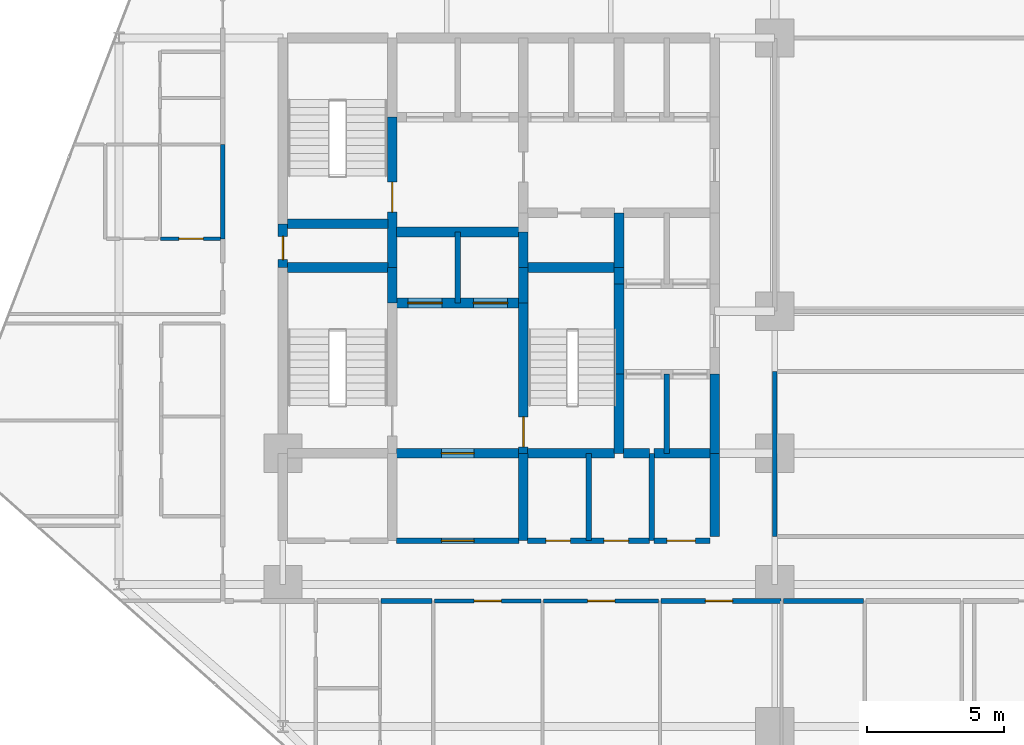
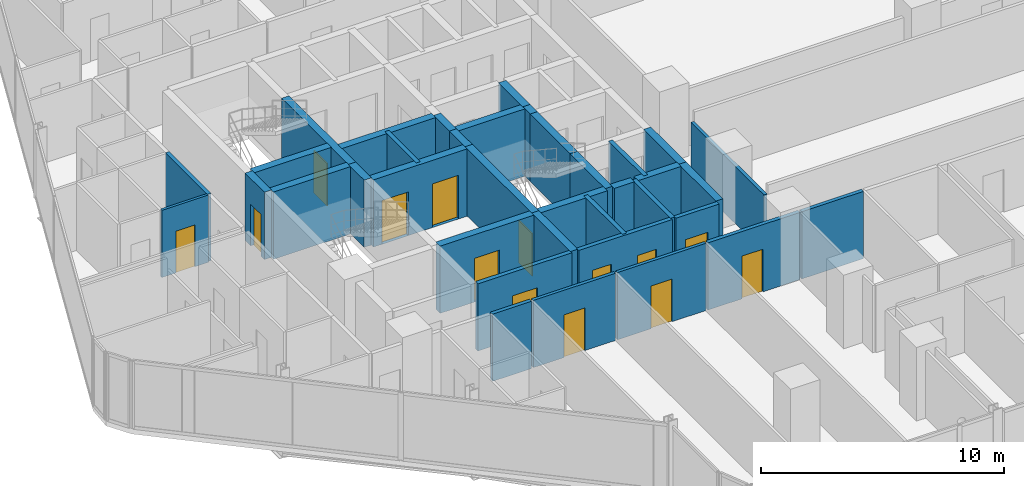
# One storey, part 27 of 33: 37 walls, 14 doors, 14 openings.
"""IFC4 building model written with IfcOpenShell, lengths in metres."""

import ifcopenshell
import ifcopenshell.guid

model = None  # the IFC model being written
_history = None  # IfcOwnerHistory: only IFC2X3 demands one
_inside = {}  # id of a spatial element -> (the spatial element, [elements in it])
_under = {}  # id of a project, library or spatial element -> (it, [spatial elements below it])
_declared = {}  # id of a project -> (the project, [libraries it declares])
_typed = {}  # id of a type object -> (the type object, [elements of that type])
_made_of = {}  # id of a material, layer set ... -> (it, [elements and type objects made of it])


def new_model(schema):
    """Start an empty IFC model of exactly this schema.

    Asked for "IFC4X3", IfcOpenShell would pick the latest addendum, in which some entities
    have other attributes; the version numbers below select the first issue.
    IFC2X3 requires an IfcOwnerHistory on every rooted entity: one is made here for all.
    """
    global model, _history
    if schema == "IFC4X3":
        model = ifcopenshell.file(schema_version=(4, 3, 0, 0))
    else:
        model = ifcopenshell.file(schema=schema)
    _inside.clear()
    _under.clear()
    _declared.clear()
    _typed.clear()
    _made_of.clear()
    _history = None
    if model.schema == "IFC2X3":
        org = make("IfcOrganization", Name="unknown")
        user = make(
            "IfcPersonAndOrganization",
            ThePerson=make("IfcPerson", FamilyName="unknown"),
            TheOrganization=org,
        )
        app = make(
            "IfcApplication",
            ApplicationDeveloper=org,
            Version="unknown",
            ApplicationFullName="unknown",
            ApplicationIdentifier="unknown",
        )
        _history = make(
            "IfcOwnerHistory",
            OwningUser=user,
            OwningApplication=app,
            ChangeAction="ADDED",
            CreationDate=0,
        )
    return model


def make(cls, **values):
    """One entity of the class cls with the attributes given. An attribute that is None is left unset."""
    return model.create_entity(
        cls, **{name: value for name, value in values.items() if value is not None}
    )


def rooted(cls, **values):
    """An entity with a GlobalId (a new one), such as an element, a storey or a relation."""
    return make(cls, GlobalId=ifcopenshell.guid.new(), OwnerHistory=_history, **values)


def si_unit(unit_type, name, prefix=None):
    """IfcSIUnit, for example si_unit("LENGTHUNIT", "METRE", prefix="MILLI")."""
    return make("IfcSIUnit", UnitType=unit_type, Prefix=prefix, Name=name)


def assignment(units):
    """IfcUnitAssignment: the units of a project."""
    return None if units is None else make("IfcUnitAssignment", Units=units)


def point(xyz):
    """IfcCartesianPoint."""
    return None if xyz is None else make("IfcCartesianPoint", Coordinates=xyz)


def direction(xyz):
    """IfcDirection."""
    return None if xyz is None else make("IfcDirection", DirectionRatios=xyz)


def frame(location, z_axis=None, x_axis=None):
    """IfcAxis2Placement3D, a coordinate frame: its origin and axes. An axis left out is left unset."""
    return make(
        "IfcAxis2Placement3D",
        Location=point(location),
        Axis=direction(z_axis),
        RefDirection=direction(x_axis),
    )


def frame_2d(location, x_axis=None):
    """IfcAxis2Placement2D, a coordinate frame in the plane: its origin and x axis."""
    return make(
        "IfcAxis2Placement2D", Location=point(location), RefDirection=direction(x_axis)
    )


def origin():
    """The frame at (0, 0, 0) with its axes left unset."""
    return frame((0.0, 0.0, 0.0))


def place(relative_to, where):
    """IfcLocalPlacement: puts the frame where relative to a parent placement (None: the world)."""
    return make(
        "IfcLocalPlacement", PlacementRelTo=relative_to, RelativePlacement=where
    )


def context(
    kind, dimensions, precision=None, world=None, true_north=None, identifier=None
):
    """IfcGeometricRepresentationContext, for example the 3D "Model" context."""
    return make(
        "IfcGeometricRepresentationContext",
        ContextIdentifier=identifier,
        ContextType=kind,
        CoordinateSpaceDimension=dimensions,
        Precision=precision,
        WorldCoordinateSystem=world,
        TrueNorth=true_north,
    )


def subcontext(parent, identifier, kind, view, scale=None):
    """IfcGeometricRepresentationSubContext, for example "Body" below "Model"."""
    return make(
        "IfcGeometricRepresentationSubContext",
        ContextIdentifier=identifier,
        ContextType=kind,
        ParentContext=parent,
        TargetScale=scale,
        TargetView=view,
    )


def project(units=None, contexts=None):
    """IfcProject with its units and contexts."""
    return rooted(
        "IfcProject",
        Name="project",
        RepresentationContexts=contexts,
        UnitsInContext=assignment(units),
    )


def spatial(cls, under=None, at=None, **own):
    """A site, building, storey or space (cls), placed at a placement, below another one or the project."""
    s = rooted(cls, ObjectPlacement=at, **own)
    if under is not None:
        _under.setdefault(under.id(), (under, []))[1].append(s)
    return s


def profile(cls, at=None, kind="AREA", **sizes):
    """A parametric profile (cls). Its sizes go by their IFC names, for example OverallWidth=200.0."""
    return make(cls, ProfileType=kind, Position=at, **sizes)


def rectangle(**sizes):
    """IfcRectangleProfileDef."""
    return profile("IfcRectangleProfileDef", **sizes)


def extrude(swept, where, along, depth):
    """IfcExtrudedAreaSolid: the profile swept, set in the frame where, extruded along a direction by depth."""
    return make(
        "IfcExtrudedAreaSolid",
        SweptArea=swept,
        Position=where,
        ExtrudedDirection=direction(along),
        Depth=depth,
    )


def shape(context_of_items, identifier, shape_type, items):
    """IfcShapeRepresentation: the items that make up one representation, for example the "Body"."""
    return make(
        "IfcShapeRepresentation",
        ContextOfItems=context_of_items,
        RepresentationIdentifier=identifier,
        RepresentationType=shape_type,
        Items=items,
    )


def material(Name=None, Category=None):
    """IfcMaterial."""
    return make("IfcMaterial", Name=Name, Category=Category)


def layer(
    of_material, thickness, ventilated=None, Name=None, Category=None, Priority=None
):
    """IfcMaterialLayer: one layer of a wall or slab, of a material (None: an air gap)."""
    return make(
        "IfcMaterialLayer",
        Material=of_material,
        LayerThickness=thickness,
        IsVentilated=ventilated,
        Name=Name,
        Category=Category,
        Priority=Priority,
    )


def layer_set(layers, Name=None):
    """IfcMaterialLayerSet."""
    return make("IfcMaterialLayerSet", MaterialLayers=layers, LayerSetName=Name)


def made_of(thing, what):
    """Note that an element or type object is made of a material, layer set ...; save() writes the relation."""
    if what is not None:
        _made_of.setdefault(what.id(), (what, []))[1].append(thing)
    return thing


def type_object(cls, material=None, **own):
    """A type object (cls), such as IfcWallType, which elements share."""
    return made_of(rooted(cls, **own), material)


def element(
    cls,
    number,
    at=None,
    inside=None,
    cuts=None,
    type_object=None,
    material=None,
    context=None,
    identifier="Body",
    shape_type=None,
    held_by="IfcProductDefinitionShape",
    body=None,
    shapes=None,
    **own,
):
    """One element of the class cls, such as IfcWall. Its Tag is "e" and its number.

    at: its placement. inside: the storey or other place that contains it. cuts: it is an
    opening in that element (IfcRelVoidsElement). A single representation is given by context,
    identifier, shape_type and body (its items); several are given by shapes. held_by: the class
    of the entity that holds the representations. save() writes the other relations.
    """
    e = rooted(cls, Tag="e%d" % number, ObjectPlacement=at, **own)
    if body is not None:
        shapes = [shape(context, identifier, shape_type, body)]
    if shapes is not None:
        e.Representation = make(held_by, Representations=shapes)
    if inside is not None:
        _inside.setdefault(inside.id(), (inside, []))[1].append(e)
    if cuts is not None:
        rooted(
            "IfcRelVoidsElement", RelatingBuildingElement=cuts, RelatedOpeningElement=e
        )
    if type_object is not None:
        _typed.setdefault(type_object.id(), (type_object, []))[1].append(e)
    return made_of(e, material)


def fill(opening, filler):
    """IfcRelFillsElement: the door or window that sits in an opening."""
    return rooted(
        "IfcRelFillsElement",
        RelatingOpeningElement=opening,
        RelatedBuildingElement=filler,
    )


def aggregate(whole, parts):
    """IfcRelAggregates: a whole, such as a stair, and the parts it consists of."""
    return rooted("IfcRelAggregates", RelatingObject=whole, RelatedObjects=parts)


def save(model, path):
    """Write the relations noted so far, then the file.

    IfcRelAggregates (storeys below a building ...), IfcRelContainedInSpatialStructure (elements
    in a storey), IfcRelDefinesByType, IfcRelAssociatesMaterial and IfcRelDeclares: one each for
    every whole, place, type object, material and project.
    """
    for whole, parts in _under.values():
        aggregate(whole, parts)
    for where, things in _inside.values():
        rooted(
            "IfcRelContainedInSpatialStructure",
            RelatedElements=things,
            RelatingStructure=where,
        )
    for kind, things in _typed.values():
        rooted("IfcRelDefinesByType", RelatedObjects=things, RelatingType=kind)
    for what, things in _made_of.values():
        rooted("IfcRelAssociatesMaterial", RelatedObjects=things, RelatingMaterial=what)
    for by, libraries in _declared.values():
        rooted("IfcRelDeclares", RelatingContext=by, RelatedDefinitions=libraries)
    model.write(path)


model = new_model("IFC4")

# Units and contexts
model_context = context("Model", 3, precision=1e-05, world=origin(), true_north=direction((0.0, 1.0)))
body_context = subcontext(model_context, "Body", "Model", "MODEL_VIEW")
ifc_project = project(units=[si_unit("LENGTHUNIT", "METRE"), si_unit("AREAUNIT", "SQUARE_METRE"), si_unit("VOLUMEUNIT", "CUBIC_METRE"), si_unit("PLANEANGLEUNIT", "RADIAN"), si_unit("MASSUNIT", "GRAM", prefix="KILO")], contexts=[model_context])

# Site, building, storey
site_placement = place(None, origin())
site = spatial("IfcSite", under=ifc_project, at=site_placement, CompositionType="ELEMENT")
building_placement = place(site_placement, origin())
building = spatial("IfcBuilding", under=site, at=building_placement, Name="Keshet Zoharim Tower", CompositionType="ELEMENT")
storey_placement = place(building_placement, frame((0.0, 0.0, 49.89990234375)))
storey = spatial("IfcBuildingStorey", under=building, at=storey_placement, Name="L11", CompositionType="ELEMENT", Elevation=49.89990234375)

# Wall
ifc_material_1 = material(Name="Gypsum Plasterboard", Category="gypsum")
ifc_layer_1 = layer(ifc_material_1, 0.14990234375)
ifc_layer_set_1 = layer_set([ifc_layer_1], Name="Gypsum Plasterboard")
wall_type_1 = type_object("IfcWallType", Name="WL-CLIN-150", PredefinedType="STANDARD", material=ifc_layer_set_1)
wall_1_placement = place(storey_placement, frame((33.0, 19.659912109375, 0.0), z_axis=(0.0, 0.0, 1.0), x_axis=(0.0, 1.0, 0.0)))
element("IfcWall", 1, at=wall_1_placement, inside=storey, type_object=wall_type_1, Name="L11 Interior Wall 074", PredefinedType="STANDARD", context=body_context, shape_type="SweptSolid", body=[
    extrude(rectangle(XDim=6.030029296875, YDim=0.14990234375, at=frame_2d((3.01513671875, 0.0))), origin(), (0.0, 0.0, 1.0), 2.885009765625),
])

# Wall, opening, door
wall_2_placement = place(storey_placement, frame((20.544921875, 17.300048828125, 0.0), z_axis=(0.0, 0.0, 1.0), x_axis=(1.0, 0.0, 0.0)))
wall_2 = element("IfcWall", 2, at=wall_2_placement, inside=storey, type_object=wall_type_1, Name="L11 Interior Wall 141", PredefinedType="STANDARD", context=body_context, shape_type="SweptSolid", body=[
    extrude(rectangle(XDim=3.91015625, YDim=0.14990234375, at=frame_2d((1.955078125, 0.0))), origin(), (0.0, 0.0, 1.0), 3.385009765625),
])
opening_1_placement = place(wall_2_placement, frame((1.455078125, 0.0, 0.0)))
opening_1 = element("IfcOpeningElement", 3, at=opening_1_placement, cuts=wall_2, Name="Opening D-F310", PredefinedType="OPENING", context=body_context, shape_type="SweptSolid", body=[
    extrude(rectangle(XDim=1.0, YDim=2.14990234375, at=frame_2d((0.5, 1.074951171875))), frame((0.0, 0.0849609375, 0.0), z_axis=(0.0, -1.0, 0.0), x_axis=(1.0, 0.0, 0.0)), (0.0, 0.0, 1.0), 0.169921875),
])
ifc_material_2 = material(Name="Hardwood Timber", Category="wood")
door_type_1 = type_object("IfcDoorType", Name="DR-FD30-100", OperationType="NOTDEFINED", PredefinedType="DOOR", material=ifc_material_2)
door_1_placement = place(opening_1_placement, origin())
door_1 = element("IfcDoor", 4, at=door_1_placement, inside=storey, type_object=door_type_1, Name="L11 Residents Telework Office Door", OperationType="SINGLE_SWING_RIGHT", OverallHeight=2.14990234375, OverallWidth=1.0, PredefinedType="DOOR", context=body_context, shape_type="SweptSolid", body=[
    extrude(rectangle(XDim=1.0, YDim=2.14990234375, at=frame_2d((0.5, 1.074951171875))), frame((0.0, 0.02490234375, 0.0), z_axis=(0.0, -1.0, 0.0), x_axis=(1.0, 0.0, 0.0)), (0.0, 0.0, 1.0), 0.050048828125),
])
fill(opening_1, door_1)

wall_3_placement = place(storey_placement, frame((24.544921875, 17.300048828125, 0.0), z_axis=(0.0, 0.0, 1.0), x_axis=(1.0, 0.0, 0.0)))
wall_3 = element("IfcWall", 5, at=wall_3_placement, inside=storey, type_object=wall_type_1, Name="L11 Interior Wall 142", PredefinedType="STANDARD", context=body_context, shape_type="SweptSolid", body=[
    extrude(rectangle(XDim=4.2099609375, YDim=0.14990234375, at=frame_2d((2.10498046875, 0.0))), origin(), (0.0, 0.0, 1.0), 3.385009765625),
])
opening_2_placement = place(wall_3_placement, frame((1.60498046875, 0.0, 0.0)))
opening_2 = element("IfcOpeningElement", 6, at=opening_2_placement, cuts=wall_3, Name="Opening D-F310", PredefinedType="OPENING", context=body_context, shape_type="SweptSolid", body=[
    extrude(rectangle(XDim=1.0, YDim=2.14990234375, at=frame_2d((0.5, 1.074951171875))), frame((0.0, 0.0849609375, 0.0), z_axis=(0.0, -1.0, 0.0), x_axis=(1.0, 0.0, 0.0)), (0.0, 0.0, 1.0), 0.169921875),
])
door_2_placement = place(opening_2_placement, origin())
door_2 = element("IfcDoor", 7, at=door_2_placement, inside=storey, type_object=door_type_1, Name="L11 Residents Meeting Room Door", OperationType="SINGLE_SWING_LEFT", OverallHeight=2.14990234375, OverallWidth=1.0, PredefinedType="DOOR", context=body_context, shape_type="SweptSolid", body=[
    extrude(rectangle(XDim=1.0, YDim=2.14990234375, at=frame_2d((0.5, 1.074951171875))), frame((0.0, 0.02490234375, 0.0), z_axis=(0.0, -1.0, 0.0), x_axis=(1.0, 0.0, 0.0)), (0.0, 0.0, 1.0), 0.050048828125),
])
fill(opening_2, door_2)

ifc_material_3 = material(Name="Concrete C60/75", Category="concrete")
ifc_layer_2 = layer(ifc_material_3, 0.35009765625)
ifc_layer_set_2 = layer_set([ifc_layer_2], Name="Concrete C60/75")
wall_type_2 = type_object("IfcWallType", Name="WL-CORE-350", PredefinedType="SHEAR", material=ifc_layer_set_2)
wall_4_placement = place(storey_placement, frame((15.0, 29.5, 0.0), z_axis=(0.0, 0.0, 1.0), x_axis=(0.0, 1.0, 0.0)))
wall_4 = element("IfcWall", 8, at=wall_4_placement, inside=storey, type_object=wall_type_2, Name="L11 Core Shear Wall 021", PredefinedType="SHEAR", context=body_context, shape_type="SweptSolid", body=[
    extrude(rectangle(XDim=1.60009765625, YDim=0.35009765625, at=frame_2d((0.800048828125, 0.0))), origin(), (0.0, 0.0, 1.0), 3.385009765625),
])
opening_3_placement = place(wall_4_placement, frame((0.287109375, 0.0, 0.0)))
opening_3 = element("IfcOpeningElement", 9, at=opening_3_placement, cuts=wall_4, Name="Opening D-RS85", PredefinedType="OPENING", context=body_context, shape_type="SweptSolid", body=[
    extrude(rectangle(XDim=0.85009765625, YDim=2.10009765625, at=frame_2d((0.425048828125, 1.050048828125))), frame((0.0, 0.18505859375, 0.0), z_axis=(0.0, -1.0, 0.0), x_axis=(1.0, 0.0, 0.0)), (0.0, 0.0, 1.0), 0.3701171875),
])
door_type_2 = type_object("IfcDoorType", Name="DR-RIS-085", OperationType="NOTDEFINED", PredefinedType="DOOR", material=ifc_material_2)
door_3_placement = place(opening_3_placement, origin())
door_3 = element("IfcDoor", 10, at=door_3_placement, inside=storey, type_object=door_type_2, Name="L11 Electrical Riser Access Cupboard Door", OperationType="SINGLE_SWING_RIGHT", OverallHeight=2.10009765625, OverallWidth=0.85009765625, PredefinedType="DOOR", context=body_context, shape_type="SweptSolid", body=[
    extrude(rectangle(XDim=0.85009765625, YDim=2.10009765625, at=frame_2d((0.425048828125, 1.050048828125))), frame((0.0, 0.02490234375, 0.0), z_axis=(0.0, -1.0, 0.0), x_axis=(1.0, 0.0, 0.0)), (0.0, 0.0, 1.0), 0.050048828125),
])
fill(opening_3, door_3)

# Wall
wall_5_placement = place(storey_placement, frame((19.0, 28.199951171875, 0.0), z_axis=(0.0, 0.0, 1.0), x_axis=(0.0, 1.0, 0.0)))
element("IfcWall", 11, at=wall_5_placement, inside=storey, type_object=wall_type_2, Name="L11 Core Shear Wall 031", PredefinedType="SHEAR", context=body_context, shape_type="SweptSolid", body=[
    extrude(rectangle(XDim=1.300048828125, YDim=0.35009765625, at=frame_2d((0.64990234375, 0.0))), origin(), (0.0, 0.0, 1.0), 3.385009765625),
])

# Wall, opening, door
wall_6_placement = place(storey_placement, frame((19.0, 29.5, 0.0), z_axis=(0.0, 0.0, 1.0), x_axis=(0.0, 1.0, 0.0)))
wall_6 = element("IfcWall", 12, at=wall_6_placement, inside=storey, type_object=wall_type_2, Name="L11 Core Shear Wall 032", PredefinedType="SHEAR", context=body_context, shape_type="SweptSolid", body=[
    extrude(rectangle(XDim=5.5, YDim=0.35009765625, at=frame_2d((2.75, 0.0))), origin(), (0.0, 0.0, 1.0), 3.385009765625),
])
opening_4_placement = place(wall_6_placement, frame((2.02490234375, 0.0, 0.0)))
opening_4 = element("IfcOpeningElement", 13, at=opening_4_placement, cuts=wall_6, Name="Opening D-F611", PredefinedType="OPENING", context=body_context, shape_type="SweptSolid", body=[
    extrude(rectangle(XDim=1.10009765625, YDim=2.14990234375, at=frame_2d((0.550048828125, 1.074951171875))), frame((0.0, 0.18505859375, 0.0), z_axis=(0.0, -1.0, 0.0), x_axis=(1.0, 0.0, 0.0)), (0.0, 0.0, 1.0), 0.3701171875),
])
door_type_3 = type_object("IfcDoorType", Name="DR-FD60-110", OperationType="NOTDEFINED", PredefinedType="DOOR", material=ifc_material_2)
door_4_placement = place(opening_4_placement, origin())
door_4 = element("IfcDoor", 14, at=door_4_placement, inside=storey, type_object=door_type_3, Name="L11 Exit Stair ST-02 Fire Door", OperationType="SINGLE_SWING_RIGHT", OverallHeight=2.14990234375, OverallWidth=1.10009765625, PredefinedType="DOOR", context=body_context, shape_type="SweptSolid", body=[
    extrude(rectangle(XDim=1.10009765625, YDim=2.14990234375, at=frame_2d((0.550048828125, 1.074951171875))), frame((0.0, 0.02490234375, 0.0), z_axis=(0.0, -1.0, 0.0), x_axis=(1.0, 0.0, 0.0)), (0.0, 0.0, 1.0), 0.050048828125),
])
fill(opening_4, door_4)

# Wall
wall_7_placement = place(storey_placement, frame((23.800048828125, 19.5, 0.0), z_axis=(0.0, 0.0, 1.0), x_axis=(0.0, 1.0, 0.0)))
element("IfcWall", 15, at=wall_7_placement, inside=storey, type_object=wall_type_2, Name="L11 Core Shear Wall 040", PredefinedType="SHEAR", context=body_context, shape_type="SweptSolid", body=[
    extrude(rectangle(XDim=3.199951171875, YDim=0.35009765625, at=frame_2d((1.60009765625, 0.0))), origin(), (0.0, 0.0, 1.0), 3.385009765625),
])

# Wall, opening, door
wall_8_placement = place(storey_placement, frame((23.800048828125, 22.699951171875, 0.0), z_axis=(0.0, 0.0, 1.0), x_axis=(0.0, 1.0, 0.0)))
wall_8 = element("IfcWall", 16, at=wall_8_placement, inside=storey, type_object=wall_type_2, Name="L11 Core Shear Wall 041", PredefinedType="SHEAR", context=body_context, shape_type="SweptSolid", body=[
    extrude(rectangle(XDim=5.5, YDim=0.35009765625, at=frame_2d((2.75, 0.0))), origin(), (0.0, 0.0, 1.0), 3.385009765625),
])
opening_5_placement = place(wall_8_placement, frame((0.235107421875, 0.0, 0.0)))
opening_5 = element("IfcOpeningElement", 17, at=opening_5_placement, cuts=wall_8, Name="Opening D-F611", PredefinedType="OPENING", context=body_context, shape_type="SweptSolid", body=[
    extrude(rectangle(XDim=1.10009765625, YDim=2.14990234375, at=frame_2d((0.550048828125, 1.074951171875))), frame((0.0, 0.18505859375, 0.0), z_axis=(0.0, -1.0, 0.0), x_axis=(1.0, 0.0, 0.0)), (0.0, 0.0, 1.0), 0.3701171875),
])
door_5_placement = place(opening_5_placement, frame((1.10009765625, 0.0, 0.0), z_axis=(0.0, 0.0, 1.0), x_axis=(-1.0, 0.0, 0.0)))
door_5 = element("IfcDoor", 18, at=door_5_placement, inside=storey, type_object=door_type_3, Name="L11 Exit Stair ST-03 Fire Door", OperationType="SINGLE_SWING_LEFT", OverallHeight=2.14990234375, OverallWidth=1.10009765625, PredefinedType="DOOR", context=body_context, shape_type="SweptSolid", body=[
    extrude(rectangle(XDim=1.10009765625, YDim=2.14990234375, at=frame_2d((0.550048828125, 1.074951171875))), frame((0.0, 0.02490234375, 0.0), z_axis=(0.0, -1.0, 0.0), x_axis=(1.0, 0.0, 0.0)), (0.0, 0.0, 1.0), 0.050048828125),
])
fill(opening_5, door_5)

# Walls
for number, where, z_axis, x_axis, name in (
    (19, (23.800048828125, 28.199951171875, 0.0), (0.0, 0.0, 1.0), (0.0, 1.0, 0.0), "L11 Core Shear Wall 042"),
    (20, (23.800048828125, 29.5, 0.0), (0.0, 0.0, 1.0), (0.0, 1.0, 0.0), "L11 Core Shear Wall 043"),
):
    element("IfcWall", number, at=place(storey_placement, frame(where, z_axis=z_axis, x_axis=x_axis)), inside=storey, type_object=wall_type_2, Name=name, PredefinedType="SHEAR", context=body_context, shape_type="SweptSolid", body=[
        extrude(rectangle(XDim=1.300048828125, YDim=0.35009765625, at=frame_2d((0.64990234375, 0.0))), origin(), (0.0, 0.0, 1.0), 3.385009765625),
    ])
wall_9_placement = place(storey_placement, frame((27.300048828125, 22.699951171875, 0.0), z_axis=(0.0, 0.0, 1.0), x_axis=(0.0, 1.0, 0.0)))
element("IfcWall", 21, at=wall_9_placement, inside=storey, type_object=wall_type_2, Name="L11 Core Shear Wall 053", PredefinedType="SHEAR", context=body_context, shape_type="SweptSolid", body=[
    extrude(rectangle(XDim=2.900146484375, YDim=0.35009765625, at=frame_2d((1.4501953125, 0.0))), origin(), (0.0, 0.0, 1.0), 3.385009765625),
])
wall_10_placement = place(storey_placement, frame((27.300048828125, 25.60009765625, 0.0), z_axis=(0.0, 0.0, 1.0), x_axis=(0.0, 1.0, 0.0)))
element("IfcWall", 22, at=wall_10_placement, inside=storey, type_object=wall_type_2, Name="L11 Core Shear Wall 054", PredefinedType="SHEAR", context=body_context, shape_type="SweptSolid", body=[
    extrude(rectangle(XDim=3.2998046875, YDim=0.35009765625, at=frame_2d((1.64990234375, 0.0))), origin(), (0.0, 0.0, 1.0), 3.385009765625),
])
wall_11_placement = place(storey_placement, frame((27.300048828125, 28.89990234375, 0.0), z_axis=(0.0, 0.0, 1.0), x_axis=(0.0, 1.0, 0.0)))
element("IfcWall", 23, at=wall_11_placement, inside=storey, type_object=wall_type_2, Name="L11 Core Shear Wall 055", PredefinedType="SHEAR", context=body_context, shape_type="SweptSolid", body=[
    extrude(rectangle(XDim=0.60009765625, YDim=0.35009765625, at=frame_2d((0.300048828125, 0.0))), origin(), (0.0, 0.0, 1.0), 3.385009765625),
])
wall_12_placement = place(storey_placement, frame((27.300048828125, 29.5, 0.0), z_axis=(0.0, 0.0, 1.0), x_axis=(0.0, 1.0, 0.0)))
element("IfcWall", 24, at=wall_12_placement, inside=storey, type_object=wall_type_2, Name="L11 Core Shear Wall 056", PredefinedType="SHEAR", context=body_context, shape_type="SweptSolid", body=[
    extrude(rectangle(XDim=2.0, YDim=0.35009765625, at=frame_2d((1.0, 0.0))), origin(), (0.0, 0.0, 1.0), 3.385009765625),
])
wall_13_placement = place(storey_placement, frame((30.800048828125, 19.64990234375, 0.0), z_axis=(0.0, 0.0, 1.0), x_axis=(0.0, 1.0, 0.0)))
element("IfcWall", 25, at=wall_13_placement, inside=storey, type_object=wall_type_2, Name="L11 Core Shear Wall 064", PredefinedType="SHEAR", context=body_context, shape_type="SweptSolid", body=[
    extrude(rectangle(XDim=3.050048828125, YDim=0.35009765625, at=frame_2d((1.52490234375, 0.0))), origin(), (0.0, 0.0, 1.0), 3.385009765625),
])
wall_14_placement = place(storey_placement, frame((30.800048828125, 22.699951171875, 0.0), z_axis=(0.0, 0.0, 1.0), x_axis=(0.0, 1.0, 0.0)))
element("IfcWall", 26, at=wall_14_placement, inside=storey, type_object=wall_type_2, Name="L11 Core Shear Wall 065", PredefinedType="SHEAR", context=body_context, shape_type="SweptSolid", body=[
    extrude(rectangle(XDim=2.900146484375, YDim=0.35009765625, at=frame_2d((1.4501953125, 0.0))), origin(), (0.0, 0.0, 1.0), 3.385009765625),
])

# Wall, opening, door
wall_15_placement = place(storey_placement, frame((19.159912109375, 22.699951171875, 0.0), z_axis=(0.0, 0.0, 1.0), x_axis=(1.0, 0.0, 0.0)))
wall_15 = element("IfcWall", 27, at=wall_15_placement, inside=storey, type_object=wall_type_2, Name="L11 Core Shear Wall 163", PredefinedType="SHEAR", context=body_context, shape_type="SweptSolid", body=[
    extrude(rectangle(XDim=4.47998046875, YDim=0.35009765625, at=frame_2d((2.239990234375, 0.0))), origin(), (0.0, 0.0, 1.0), 3.385009765625),
])
opening_6_placement = place(wall_15_placement, frame((1.639892578125, 0.0, 0.0)))
opening_6 = element("IfcOpeningElement", 28, at=opening_6_placement, cuts=wall_15, Name="Opening D-F612", PredefinedType="OPENING", context=body_context, shape_type="SweptSolid", body=[
    extrude(rectangle(XDim=1.199951171875, YDim=2.199951171875, at=frame_2d((0.60009765625, 1.10009765625))), frame((0.0, 0.18505859375, 0.0), z_axis=(0.0, -1.0, 0.0), x_axis=(1.0, 0.0, 0.0)), (0.0, 0.0, 1.0), 0.3701171875),
])
door_type_4 = type_object("IfcDoorType", Name="DR-FD60-120", OperationType="NOTDEFINED", PredefinedType="DOOR", material=ifc_material_2)
door_6_placement = place(opening_6_placement, origin())
door_6 = element("IfcDoor", 29, at=door_6_placement, inside=storey, type_object=door_type_4, Name="L11 South Core Lobby Fire Door", OperationType="SINGLE_SWING_RIGHT", OverallHeight=2.199951171875, OverallWidth=1.199951171875, PredefinedType="DOOR", context=body_context, shape_type="SweptSolid", body=[
    extrude(rectangle(XDim=1.199951171875, YDim=2.199951171875, at=frame_2d((0.60009765625, 1.10009765625))), frame((0.0, 0.02490234375, 0.0), z_axis=(0.0, -1.0, 0.0), x_axis=(1.0, 0.0, 0.0)), (0.0, 0.0, 1.0), 0.050048828125),
])
fill(opening_6, door_6)

# Walls
wall_16_placement = place(storey_placement, frame((23.9599609375, 22.699951171875, 0.0), z_axis=(0.0, 0.0, 1.0), x_axis=(1.0, 0.0, 0.0)))
element("IfcWall", 30, at=wall_16_placement, inside=storey, type_object=wall_type_2, Name="L11 Core Shear Wall 164", PredefinedType="SHEAR", context=body_context, shape_type="SweptSolid", body=[
    extrude(rectangle(XDim=3.179931640625, YDim=0.35009765625, at=frame_2d((1.58984375, 0.0))), origin(), (0.0, 0.0, 1.0), 3.385009765625),
])
wall_17_placement = place(storey_placement, frame((27.4599609375, 22.699951171875, 0.0), z_axis=(0.0, 0.0, 1.0), x_axis=(1.0, 0.0, 0.0)))
element("IfcWall", 31, at=wall_17_placement, inside=storey, type_object=wall_type_2, Name="L11 Core Shear Wall 165", PredefinedType="SHEAR", context=body_context, shape_type="SweptSolid", body=[
    extrude(rectangle(XDim=0.955078125, YDim=0.35009765625, at=frame_2d((0.4775390625, 0.0))), origin(), (0.0, 0.0, 1.0), 3.385009765625),
])
wall_18_placement = place(storey_placement, frame((28.5849609375, 22.699951171875, 0.0), z_axis=(0.0, 0.0, 1.0), x_axis=(1.0, 0.0, 0.0)))
element("IfcWall", 32, at=wall_18_placement, inside=storey, type_object=wall_type_2, Name="L11 Core Shear Wall 166", PredefinedType="SHEAR", context=body_context, shape_type="SweptSolid", body=[
    extrude(rectangle(XDim=2.054931640625, YDim=0.35009765625, at=frame_2d((1.02734375, 0.0))), origin(), (0.0, 0.0, 1.0), 3.385009765625),
])

# Wall, openings, doors
wall_19_placement = place(storey_placement, frame((19.159912109375, 28.199951171875, 0.0), z_axis=(0.0, 0.0, 1.0), x_axis=(1.0, 0.0, 0.0)))
wall_19 = element("IfcWall", 33, at=wall_19_placement, inside=storey, type_object=wall_type_2, Name="L11 Core Shear Wall 176", PredefinedType="SHEAR", context=body_context, shape_type="SweptSolid", body=[
    extrude(rectangle(XDim=4.47998046875, YDim=0.35009765625, at=frame_2d((2.239990234375, 0.0))), origin(), (0.0, 0.0, 1.0), 3.385009765625),
])
opening_7_placement = place(wall_19_placement, frame((0.4150390625, 0.0, 0.0)))
opening_7 = element("IfcOpeningElement", 34, at=opening_7_placement, cuts=wall_19, Name="Opening LD-01", PredefinedType="OPENING", context=body_context, shape_type="SweptSolid", body=[
    extrude(rectangle(XDim=1.25, YDim=2.199951171875, at=frame_2d((0.625, 1.10009765625))), frame((0.0, 0.18505859375, 0.0), z_axis=(0.0, -1.0, 0.0), x_axis=(1.0, 0.0, 0.0)), (0.0, 0.0, 1.0), 0.3701171875),
])
opening_8_placement = place(wall_19_placement, frame((2.81494140625, 0.0, 0.0)))
opening_8 = element("IfcOpeningElement", 35, at=opening_8_placement, cuts=wall_19, Name="Opening LD-01", PredefinedType="OPENING", context=body_context, shape_type="SweptSolid", body=[
    extrude(rectangle(XDim=1.25, YDim=2.199951171875, at=frame_2d((0.625, 1.10009765625))), frame((0.0, 0.18505859375, 0.0), z_axis=(0.0, -1.0, 0.0), x_axis=(1.0, 0.0, 0.0)), (0.0, 0.0, 1.0), 0.3701171875),
])
ifc_material_4 = material(Name="Steel S355", Category="steel")
door_type_5 = type_object("IfcDoorType", Name="DR-LD01-125", OperationType="DOUBLE_DOOR_SLIDING", PredefinedType="DOOR", material=ifc_material_4)
door_7_placement = place(opening_7_placement, origin())
door_7 = element("IfcDoor", 36, at=door_7_placement, inside=storey, type_object=door_type_5, Name="L11 Passenger Lift Landing Door LF-09", OperationType="DOUBLE_DOOR_SLIDING", OverallHeight=2.199951171875, OverallWidth=1.25, PredefinedType="DOOR", context=body_context, shape_type="SweptSolid", body=[
    extrude(rectangle(XDim=1.25, YDim=2.199951171875, at=frame_2d((0.625, 1.10009765625))), frame((0.0, 0.02490234375, 0.0), z_axis=(0.0, -1.0, 0.0), x_axis=(1.0, 0.0, 0.0)), (0.0, 0.0, 1.0), 0.050048828125),
])
fill(opening_7, door_7)
door_8_placement = place(opening_8_placement, origin())
door_8 = element("IfcDoor", 37, at=door_8_placement, inside=storey, type_object=door_type_5, Name="L11 Passenger Lift Landing Door LF-10", OperationType="DOUBLE_DOOR_SLIDING", OverallHeight=2.199951171875, OverallWidth=1.25, PredefinedType="DOOR", context=body_context, shape_type="SweptSolid", body=[
    extrude(rectangle(XDim=1.25, YDim=2.199951171875, at=frame_2d((0.625, 1.10009765625))), frame((0.0, 0.02490234375, 0.0), z_axis=(0.0, -1.0, 0.0), x_axis=(1.0, 0.0, 0.0)), (0.0, 0.0, 1.0), 0.050048828125),
])
fill(opening_8, door_8)

# Walls
wall_20_placement = place(storey_placement, frame((15.159912109375, 29.5, 0.0), z_axis=(0.0, 0.0, 1.0), x_axis=(1.0, 0.0, 0.0)))
element("IfcWall", 38, at=wall_20_placement, inside=storey, type_object=wall_type_2, Name="L11 Core Shear Wall 178", PredefinedType="SHEAR", context=body_context, shape_type="SweptSolid", body=[
    extrude(rectangle(XDim=3.68017578125, YDim=0.35009765625, at=frame_2d((1.840087890625, 0.0))), origin(), (0.0, 0.0, 1.0), 3.385009765625),
])
wall_21_placement = place(storey_placement, frame((23.9599609375, 29.5, 0.0), z_axis=(0.0, 0.0, 1.0), x_axis=(1.0, 0.0, 0.0)))
element("IfcWall", 39, at=wall_21_placement, inside=storey, type_object=wall_type_2, Name="L11 Core Shear Wall 179", PredefinedType="SHEAR", context=body_context, shape_type="SweptSolid", body=[
    extrude(rectangle(XDim=3.179931640625, YDim=0.35009765625, at=frame_2d((1.58984375, 0.0))), origin(), (0.0, 0.0, 1.0), 3.385009765625),
])
wall_22_placement = place(storey_placement, frame((19.159912109375, 30.800048828125, 0.0), z_axis=(0.0, 0.0, 1.0), x_axis=(1.0, 0.0, 0.0)))
element("IfcWall", 40, at=wall_22_placement, inside=storey, type_object=wall_type_2, Name="L11 Core Shear Wall 182", PredefinedType="SHEAR", context=body_context, shape_type="SweptSolid", body=[
    extrude(rectangle(XDim=4.47998046875, YDim=0.35009765625, at=frame_2d((2.239990234375, 0.0))), origin(), (0.0, 0.0, 1.0), 3.385009765625),
])
wall_23_placement = place(storey_placement, frame((15.159912109375, 31.10009765625, 0.0), z_axis=(0.0, 0.0, 1.0), x_axis=(1.0, 0.0, 0.0)))
element("IfcWall", 41, at=wall_23_placement, inside=storey, type_object=wall_type_2, Name="L11 Core Shear Wall 183", PredefinedType="SHEAR", context=body_context, shape_type="SweptSolid", body=[
    extrude(rectangle(XDim=3.68017578125, YDim=0.35009765625, at=frame_2d((1.840087890625, 0.0))), origin(), (0.0, 0.0, 1.0), 3.385009765625),
])
ifc_layer_3 = layer(ifc_material_1, 0.179931640625)
ifc_layer_set_3 = layer_set([ifc_layer_3], Name="Gypsum Plasterboard")
wall_type_3 = type_object("IfcWallType", Name="WL-CORR-180", PredefinedType="STANDARD", material=ifc_layer_set_3)
wall_24_placement = place(storey_placement, frame((12.800048828125, 30.5400390625, 0.0), z_axis=(0.0, 0.0, 1.0), x_axis=(0.0, 1.0, 0.0)))
element("IfcWall", 42, at=wall_24_placement, inside=storey, type_object=wall_type_3, Name="L11 Interior Wall 012", PredefinedType="STANDARD", context=body_context, shape_type="SweptSolid", body=[
    extrude(rectangle(XDim=3.4599609375, YDim=0.179931640625, at=frame_2d((1.72998046875, 0.0))), origin(), (0.0, 0.0, 1.0), 3.385009765625),
])
wall_25_placement = place(storey_placement, frame((18.594970703125, 17.300048828125, 0.0), z_axis=(0.0, 0.0, 1.0), x_axis=(1.0, 0.0, 0.0)))
element("IfcWall", 43, at=wall_25_placement, inside=storey, type_object=wall_type_3, Name="L11 Interior Wall 140", PredefinedType="STANDARD", context=body_context, shape_type="SweptSolid", body=[
    extrude(rectangle(XDim=1.860107421875, YDim=0.179931640625, at=frame_2d((0.93017578125, 0.0))), origin(), (0.0, 0.0, 1.0), 3.385009765625),
])

# Wall, opening, door
wall_26_placement = place(storey_placement, frame((28.844970703125, 17.300048828125, 0.0), z_axis=(0.0, 0.0, 1.0), x_axis=(1.0, 0.0, 0.0)))
wall_26 = element("IfcWall", 44, at=wall_26_placement, inside=storey, type_object=wall_type_3, Name="L11 Interior Wall 143", PredefinedType="STANDARD", context=body_context, shape_type="SweptSolid", body=[
    extrude(rectangle(XDim=4.380126953125, YDim=0.179931640625, at=frame_2d((2.18994140625, 0.0))), origin(), (0.0, 0.0, 1.0), 3.385009765625),
])
opening_9_placement = place(wall_26_placement, frame((1.618896484375, 0.0, 0.0)))
opening_9 = element("IfcOpeningElement", 45, at=opening_9_placement, cuts=wall_26, Name="Opening D-F310", PredefinedType="OPENING", context=body_context, shape_type="SweptSolid", body=[
    extrude(rectangle(XDim=1.0, YDim=2.14990234375, at=frame_2d((0.5, 1.074951171875))), frame((0.0, 0.10009765625, 0.0), z_axis=(0.0, -1.0, 0.0), x_axis=(1.0, 0.0, 0.0)), (0.0, 0.0, 1.0), 0.199951171875),
])
door_9_placement = place(opening_9_placement, origin())
door_9 = element("IfcDoor", 46, at=door_9_placement, inside=storey, type_object=door_type_1, Name="Apartment 1102 Entrance Door", OperationType="SINGLE_SWING_RIGHT", OverallHeight=2.14990234375, OverallWidth=1.0, PredefinedType="DOOR", context=body_context, shape_type="SweptSolid", body=[
    extrude(rectangle(XDim=1.0, YDim=2.14990234375, at=frame_2d((0.5, 1.074951171875))), frame((0.0, 0.02490234375, 0.0), z_axis=(0.0, -1.0, 0.0), x_axis=(1.0, 0.0, 0.0)), (0.0, 0.0, 1.0), 0.050048828125),
])
fill(opening_9, door_9)

# Walls
wall_27_placement = place(storey_placement, frame((33.31494140625, 17.300048828125, 0.0), z_axis=(0.0, 0.0, 1.0), x_axis=(1.0, 0.0, 0.0)))
element("IfcWall", 47, at=wall_27_placement, inside=storey, type_object=wall_type_3, Name="L11 Interior Wall 144", PredefinedType="STANDARD", context=body_context, shape_type="SweptSolid", body=[
    extrude(rectangle(XDim=2.93212890625, YDim=0.179931640625, at=frame_2d((1.466064453125, 0.0))), origin(), (0.0, 0.0, 1.0), 3.385009765625),
])
ifc_material_5 = material(Name="Concrete C50/60", Category="concrete")
ifc_layer_4 = layer(ifc_material_5, 0.199951171875)
ifc_layer_set_4 = layer_set([ifc_layer_4], Name="Concrete C50/60")
wall_type_4 = type_object("IfcWallType", Name="WL-FIRE-200", PredefinedType="STANDARD", material=ifc_layer_set_4)
wall_28_placement = place(storey_placement, frame((21.39990234375, 28.199951171875, 0.0), z_axis=(0.0, 0.0, 1.0), x_axis=(0.0, 1.0, 0.0)))
element("IfcWall", 48, at=wall_28_placement, inside=storey, type_object=wall_type_4, Name="L11 Interior Wall 037", PredefinedType="STANDARD", context=body_context, shape_type="SweptSolid", body=[
    extrude(rectangle(XDim=2.60009765625, YDim=0.199951171875, at=frame_2d((1.300048828125, 0.0))), origin(), (0.0, 0.0, 1.0), 3.385009765625),
])
for number, where, z_axis, x_axis, name in (
    (49, (26.199951171875, 19.5, 0.0), (0.0, 0.0, 1.0), (0.0, 1.0, 0.0), "L11 Interior Wall 050"),
    (50, (28.5, 19.5, 0.0), (0.0, 0.0, 1.0), (0.0, 1.0, 0.0), "L11 Interior Wall 058"),
):
    element("IfcWall", number, at=place(storey_placement, frame(where, z_axis=z_axis, x_axis=x_axis)), inside=storey, type_object=wall_type_4, Name=name, PredefinedType="STANDARD", context=body_context, shape_type="SweptSolid", body=[
        extrude(rectangle(XDim=3.199951171875, YDim=0.199951171875, at=frame_2d((1.60009765625, 0.0))), origin(), (0.0, 0.0, 1.0), 3.385009765625),
    ])
wall_29_placement = place(storey_placement, frame((29.050048828125, 22.699951171875, 0.0), z_axis=(0.0, 0.0, 1.0), x_axis=(0.0, 1.0, 0.0)))
element("IfcWall", 51, at=wall_29_placement, inside=storey, type_object=wall_type_4, Name="L11 Interior Wall 061", PredefinedType="STANDARD", context=body_context, shape_type="SweptSolid", body=[
    extrude(rectangle(XDim=2.900146484375, YDim=0.199951171875, at=frame_2d((1.4501953125, 0.0))), origin(), (0.0, 0.0, 1.0), 3.385009765625),
])

# Wall, opening, door
wall_30_placement = place(storey_placement, frame((19.159912109375, 19.5, 0.0), z_axis=(0.0, 0.0, 1.0), x_axis=(1.0, 0.0, 0.0)))
wall_30 = element("IfcWall", 52, at=wall_30_placement, inside=storey, type_object=wall_type_4, Name="L11 Interior Wall 155", PredefinedType="STANDARD", context=body_context, shape_type="SweptSolid", body=[
    extrude(rectangle(XDim=4.47998046875, YDim=0.199951171875, at=frame_2d((2.239990234375, 0.0))), origin(), (0.0, 0.0, 1.0), 3.385009765625),
])
opening_10_placement = place(wall_30_placement, frame((1.639892578125, 0.0, 0.0)))
opening_10 = element("IfcOpeningElement", 53, at=opening_10_placement, cuts=wall_30, Name="Opening D-F612", PredefinedType="OPENING", context=body_context, shape_type="SweptSolid", body=[
    extrude(rectangle(XDim=1.199951171875, YDim=2.199951171875, at=frame_2d((0.60009765625, 1.10009765625))), frame((0.0, 0.10986328125, 0.0), z_axis=(0.0, -1.0, 0.0), x_axis=(1.0, 0.0, 0.0)), (0.0, 0.0, 1.0), 0.219970703125),
])
door_10_placement = place(opening_10_placement, origin())
door_10 = element("IfcDoor", 54, at=door_10_placement, inside=storey, type_object=door_type_4, Name="L11 South Vestibule Corridor Door", OperationType="SINGLE_SWING_LEFT", OverallHeight=2.199951171875, OverallWidth=1.199951171875, PredefinedType="DOOR", context=body_context, shape_type="SweptSolid", body=[
    extrude(rectangle(XDim=1.199951171875, YDim=2.199951171875, at=frame_2d((0.60009765625, 1.10009765625))), frame((0.0, 0.02490234375, 0.0), z_axis=(0.0, -1.0, 0.0), x_axis=(1.0, 0.0, 0.0)), (0.0, 0.0, 1.0), 0.050048828125),
])
fill(opening_10, door_10)

# Wall, openings, doors
wall_31_placement = place(storey_placement, frame((23.9599609375, 19.5, 0.0), z_axis=(0.0, 0.0, 1.0), x_axis=(1.0, 0.0, 0.0)))
wall_31 = element("IfcWall", 55, at=wall_31_placement, inside=storey, type_object=wall_type_4, Name="L11 Interior Wall 156", PredefinedType="STANDARD", context=body_context, shape_type="SweptSolid", body=[
    extrude(rectangle(XDim=4.455078125, YDim=0.199951171875, at=frame_2d((2.2275390625, 0.0))), origin(), (0.0, 0.0, 1.0), 3.385009765625),
])
opening_11_placement = place(wall_31_placement, frame((0.6650390625, 0.0, 0.0)))
opening_11 = element("IfcOpeningElement", 56, at=opening_11_placement, cuts=wall_31, Name="Opening D-F690", PredefinedType="OPENING", context=body_context, shape_type="SweptSolid", body=[
    extrude(rectangle(XDim=0.89990234375, YDim=2.14990234375, at=frame_2d((0.449951171875, 1.074951171875))), frame((0.0, 0.10986328125, 0.0), z_axis=(0.0, -1.0, 0.0), x_axis=(1.0, 0.0, 0.0)), (0.0, 0.0, 1.0), 0.219970703125),
])
opening_12_placement = place(wall_31_placement, frame((2.791015625, 0.0, 0.0)))
opening_12 = element("IfcOpeningElement", 57, at=opening_12_placement, cuts=wall_31, Name="Opening D-F690", PredefinedType="OPENING", context=body_context, shape_type="SweptSolid", body=[
    extrude(rectangle(XDim=0.89990234375, YDim=2.14990234375, at=frame_2d((0.449951171875, 1.074951171875))), frame((0.0, 0.10986328125, 0.0), z_axis=(0.0, -1.0, 0.0), x_axis=(1.0, 0.0, 0.0)), (0.0, 0.0, 1.0), 0.219970703125),
])
door_type_6 = type_object("IfcDoorType", Name="DR-FD60-090", OperationType="NOTDEFINED", PredefinedType="DOOR", material=ifc_material_2)
door_11_placement = place(opening_11_placement, origin())
door_11 = element("IfcDoor", 58, at=door_11_placement, inside=storey, type_object=door_type_6, Name="L11 Switchgear Room Door", OperationType="SINGLE_SWING_RIGHT", OverallHeight=2.14990234375, OverallWidth=0.89990234375, PredefinedType="DOOR", context=body_context, shape_type="SweptSolid", body=[
    extrude(rectangle(XDim=0.89990234375, YDim=2.14990234375, at=frame_2d((0.449951171875, 1.074951171875))), frame((0.0, 0.02490234375, 0.0), z_axis=(0.0, -1.0, 0.0), x_axis=(1.0, 0.0, 0.0)), (0.0, 0.0, 1.0), 0.050048828125),
])
fill(opening_11, door_11)
door_12_placement = place(opening_12_placement, origin())
door_12 = element("IfcDoor", 59, at=door_12_placement, inside=storey, type_object=door_type_6, Name="L11 Telecom Room Door", OperationType="SINGLE_SWING_LEFT", OverallHeight=2.14990234375, OverallWidth=0.89990234375, PredefinedType="DOOR", context=body_context, shape_type="SweptSolid", body=[
    extrude(rectangle(XDim=0.89990234375, YDim=2.14990234375, at=frame_2d((0.449951171875, 1.074951171875))), frame((0.0, 0.02490234375, 0.0), z_axis=(0.0, -1.0, 0.0), x_axis=(1.0, 0.0, 0.0)), (0.0, 0.0, 1.0), 0.050048828125),
])
fill(opening_12, door_12)

# Wall, opening, door
wall_32_placement = place(storey_placement, frame((28.5849609375, 19.5, 0.0), z_axis=(0.0, 0.0, 1.0), x_axis=(1.0, 0.0, 0.0)))
wall_32 = element("IfcWall", 60, at=wall_32_placement, inside=storey, type_object=wall_type_4, Name="L11 Interior Wall 157", PredefinedType="STANDARD", context=body_context, shape_type="SweptSolid", body=[
    extrude(rectangle(XDim=2.054931640625, YDim=0.199951171875, at=frame_2d((1.02734375, 0.0))), origin(), (0.0, 0.0, 1.0), 3.385009765625),
])
opening_13_placement = place(wall_32_placement, frame((0.466064453125, 0.0, 0.0)))
opening_13 = element("IfcOpeningElement", 61, at=opening_13_placement, cuts=wall_32, Name="Opening D-AC10", PredefinedType="OPENING", context=body_context, shape_type="SweptSolid", body=[
    extrude(rectangle(XDim=1.050048828125, YDim=2.14990234375, at=frame_2d((0.52490234375, 1.074951171875))), frame((0.0, 0.10986328125, 0.0), z_axis=(0.0, -1.0, 0.0), x_axis=(1.0, 0.0, 0.0)), (0.0, 0.0, 1.0), 0.219970703125),
])
door_type_7 = type_object("IfcDoorType", Name="DR-ACC-105", OperationType="NOTDEFINED", PredefinedType="DOOR", material=ifc_material_2)
door_13_placement = place(opening_13_placement, origin())
door_13 = element("IfcDoor", 62, at=door_13_placement, inside=storey, type_object=door_type_7, Name="L11 Accessible WC Door", OperationType="SINGLE_SWING_RIGHT", OverallHeight=2.14990234375, OverallWidth=1.050048828125, PredefinedType="DOOR", context=body_context, shape_type="SweptSolid", body=[
    extrude(rectangle(XDim=1.050048828125, YDim=2.14990234375, at=frame_2d((0.52490234375, 1.074951171875))), frame((0.0, 0.02490234375, 0.0), z_axis=(0.0, -1.0, 0.0), x_axis=(1.0, 0.0, 0.0)), (0.0, 0.0, 1.0), 0.050048828125),
])
fill(opening_13, door_13)

ifc_layer_5 = layer(ifc_material_1, 0.1201171875)
ifc_layer_set_5 = layer_set([ifc_layer_5], Name="Gypsum Plasterboard")
wall_type_5 = type_object("IfcWallType", Name="WL-WET-120", PredefinedType="PARTITIONING", material=ifc_layer_set_5)
wall_33_placement = place(storey_placement, frame((10.52294921875, 30.550048828125, 0.0), z_axis=(0.0, 0.0, 1.0), x_axis=(1.0, 0.0, 0.0)))
wall_33 = element("IfcWall", 63, at=wall_33_placement, inside=storey, type_object=wall_type_5, Name="L11 Interior Wall 181", PredefinedType="PARTITIONING", context=body_context, shape_type="SweptSolid", body=[
    extrude(rectangle(XDim=2.2021484375, YDim=0.1201171875, at=frame_2d((1.10107421875, 0.0))), origin(), (0.0, 0.0, 1.0), 3.385009765625),
])
opening_14_placement = place(wall_33_placement, frame((0.666015625, 0.0, 0.0)))
opening_14 = element("IfcOpeningElement", 64, at=opening_14_placement, cuts=wall_33, Name="Opening D-WT90", PredefinedType="OPENING", context=body_context, shape_type="SweptSolid", body=[
    extrude(rectangle(XDim=0.89990234375, YDim=2.10009765625, at=frame_2d((0.449951171875, 1.050048828125))), frame((0.0, 0.070068359375, 0.0), z_axis=(0.0, -1.0, 0.0), x_axis=(1.0, 0.0, 0.0)), (0.0, 0.0, 1.0), 0.14013671875),
])
door_type_8 = type_object("IfcDoorType", Name="DR-WET-090", OperationType="NOTDEFINED", PredefinedType="DOOR", material=ifc_material_2)
door_14_placement = place(opening_14_placement, origin())
door_14 = element("IfcDoor", 65, at=door_14_placement, inside=storey, type_object=door_type_8, Name="Apartment 1111 Bathroom Door", OperationType="SINGLE_SWING_LEFT", OverallHeight=2.10009765625, OverallWidth=0.89990234375, PredefinedType="DOOR", context=body_context, shape_type="SweptSolid", body=[
    extrude(rectangle(XDim=0.89990234375, YDim=2.10009765625, at=frame_2d((0.449951171875, 1.050048828125))), frame((0.0, 0.02490234375, 0.0), z_axis=(0.0, -1.0, 0.0), x_axis=(1.0, 0.0, 0.0)), (0.0, 0.0, 1.0), 0.050048828125),
])
fill(opening_14, door_14)

save(model, "model.ifc")
